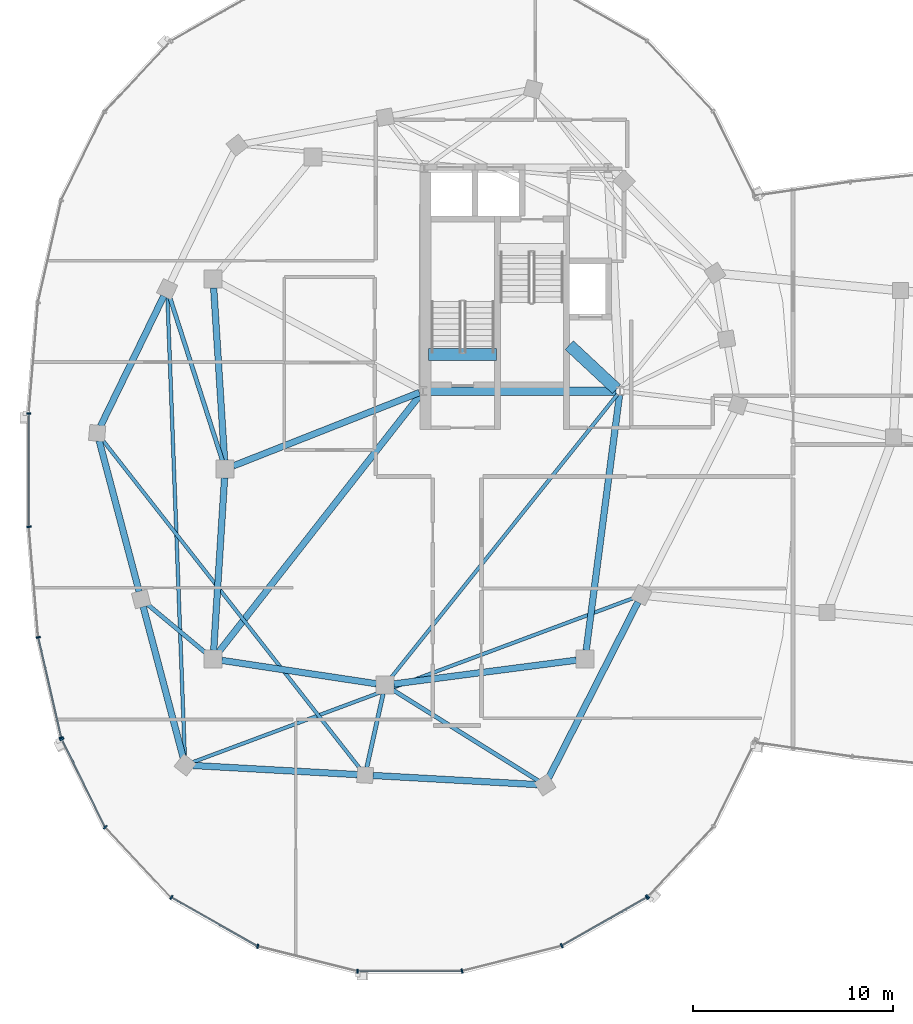
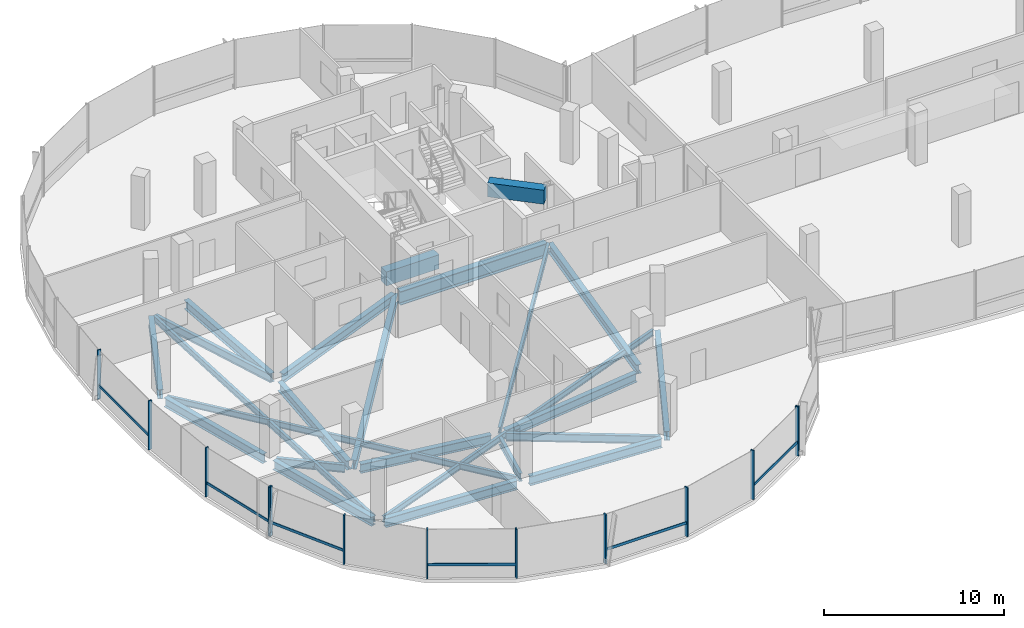
# One storey, part 3 of 26: 24 beams, 19 members, 3 elements without a shape of their own.
"""IFC4 building model written with IfcOpenShell, lengths in metres."""

import ifcopenshell
import ifcopenshell.guid

model = None  # the IFC model being written
_history = None  # IfcOwnerHistory: only IFC2X3 demands one
_inside = {}  # id of a spatial element -> (the spatial element, [elements in it])
_under = {}  # id of a project, library or spatial element -> (it, [spatial elements below it])
_declared = {}  # id of a project -> (the project, [libraries it declares])
_typed = {}  # id of a type object -> (the type object, [elements of that type])
_made_of = {}  # id of a material, layer set ... -> (it, [elements and type objects made of it])


def new_model(schema):
    """Start an empty IFC model of exactly this schema.

    Asked for "IFC4X3", IfcOpenShell would pick the latest addendum, in which some entities
    have other attributes; the version numbers below select the first issue.
    IFC2X3 requires an IfcOwnerHistory on every rooted entity: one is made here for all.
    """
    global model, _history
    if schema == "IFC4X3":
        model = ifcopenshell.file(schema_version=(4, 3, 0, 0))
    else:
        model = ifcopenshell.file(schema=schema)
    _inside.clear()
    _under.clear()
    _declared.clear()
    _typed.clear()
    _made_of.clear()
    _history = None
    if model.schema == "IFC2X3":
        org = make("IfcOrganization", Name="unknown")
        user = make(
            "IfcPersonAndOrganization",
            ThePerson=make("IfcPerson", FamilyName="unknown"),
            TheOrganization=org,
        )
        app = make(
            "IfcApplication",
            ApplicationDeveloper=org,
            Version="unknown",
            ApplicationFullName="unknown",
            ApplicationIdentifier="unknown",
        )
        _history = make(
            "IfcOwnerHistory",
            OwningUser=user,
            OwningApplication=app,
            ChangeAction="ADDED",
            CreationDate=0,
        )
    return model


def make(cls, **values):
    """One entity of the class cls with the attributes given. An attribute that is None is left unset."""
    return model.create_entity(
        cls, **{name: value for name, value in values.items() if value is not None}
    )


def rooted(cls, **values):
    """An entity with a GlobalId (a new one), such as an element, a storey or a relation."""
    return make(cls, GlobalId=ifcopenshell.guid.new(), OwnerHistory=_history, **values)


def si_unit(unit_type, name, prefix=None):
    """IfcSIUnit, for example si_unit("LENGTHUNIT", "METRE", prefix="MILLI")."""
    return make("IfcSIUnit", UnitType=unit_type, Prefix=prefix, Name=name)


def assignment(units):
    """IfcUnitAssignment: the units of a project."""
    return None if units is None else make("IfcUnitAssignment", Units=units)


def point(xyz):
    """IfcCartesianPoint."""
    return None if xyz is None else make("IfcCartesianPoint", Coordinates=xyz)


def direction(xyz):
    """IfcDirection."""
    return None if xyz is None else make("IfcDirection", DirectionRatios=xyz)


def frame(location, z_axis=None, x_axis=None):
    """IfcAxis2Placement3D, a coordinate frame: its origin and axes. An axis left out is left unset."""
    return make(
        "IfcAxis2Placement3D",
        Location=point(location),
        Axis=direction(z_axis),
        RefDirection=direction(x_axis),
    )


def frame_2d(location, x_axis=None):
    """IfcAxis2Placement2D, a coordinate frame in the plane: its origin and x axis."""
    return make(
        "IfcAxis2Placement2D", Location=point(location), RefDirection=direction(x_axis)
    )


def origin():
    """The frame at (0, 0, 0) with its axes left unset."""
    return frame((0.0, 0.0, 0.0))


def origin_2d():
    """The frame at (0, 0) in the plane with its x axis left unset."""
    return frame_2d((0.0, 0.0))


def place(relative_to, where):
    """IfcLocalPlacement: puts the frame where relative to a parent placement (None: the world)."""
    return make(
        "IfcLocalPlacement", PlacementRelTo=relative_to, RelativePlacement=where
    )


def context(
    kind, dimensions, precision=None, world=None, true_north=None, identifier=None
):
    """IfcGeometricRepresentationContext, for example the 3D "Model" context."""
    return make(
        "IfcGeometricRepresentationContext",
        ContextIdentifier=identifier,
        ContextType=kind,
        CoordinateSpaceDimension=dimensions,
        Precision=precision,
        WorldCoordinateSystem=world,
        TrueNorth=true_north,
    )


def subcontext(parent, identifier, kind, view, scale=None):
    """IfcGeometricRepresentationSubContext, for example "Body" below "Model"."""
    return make(
        "IfcGeometricRepresentationSubContext",
        ContextIdentifier=identifier,
        ContextType=kind,
        ParentContext=parent,
        TargetScale=scale,
        TargetView=view,
    )


def project(units=None, contexts=None):
    """IfcProject with its units and contexts."""
    return rooted(
        "IfcProject",
        Name="project",
        RepresentationContexts=contexts,
        UnitsInContext=assignment(units),
    )


def spatial(cls, under=None, at=None, **own):
    """A site, building, storey or space (cls), placed at a placement, below another one or the project."""
    s = rooted(cls, ObjectPlacement=at, **own)
    if under is not None:
        _under.setdefault(under.id(), (under, []))[1].append(s)
    return s


def profile(cls, at=None, kind="AREA", **sizes):
    """A parametric profile (cls). Its sizes go by their IFC names, for example OverallWidth=200.0."""
    return make(cls, ProfileType=kind, Position=at, **sizes)


def rectangle(**sizes):
    """IfcRectangleProfileDef."""
    return profile("IfcRectangleProfileDef", **sizes)


def i_section(**sizes):
    """IfcIShapeProfileDef."""
    return profile("IfcIShapeProfileDef", **sizes)


def extrude(swept, where, along, depth):
    """IfcExtrudedAreaSolid: the profile swept, set in the frame where, extruded along a direction by depth."""
    return make(
        "IfcExtrudedAreaSolid",
        SweptArea=swept,
        Position=where,
        ExtrudedDirection=direction(along),
        Depth=depth,
    )


def shape(context_of_items, identifier, shape_type, items):
    """IfcShapeRepresentation: the items that make up one representation, for example the "Body"."""
    return make(
        "IfcShapeRepresentation",
        ContextOfItems=context_of_items,
        RepresentationIdentifier=identifier,
        RepresentationType=shape_type,
        Items=items,
    )


def material(Name=None, Category=None):
    """IfcMaterial."""
    return make("IfcMaterial", Name=Name, Category=Category)


def material_profile(
    of_material, cross_section, Name=None, Category=None, Priority=None
):
    """IfcMaterialProfile: a cross section and its material."""
    return make(
        "IfcMaterialProfile",
        Name=Name,
        Material=of_material,
        Profile=cross_section,
        Priority=Priority,
        Category=Category,
    )


def profile_set(profiles, Name=None, composite=None):
    """IfcMaterialProfileSet."""
    return make(
        "IfcMaterialProfileSet",
        Name=Name,
        MaterialProfiles=profiles,
        CompositeProfile=composite,
    )


def made_of(thing, what):
    """Note that an element or type object is made of a material, layer set ...; save() writes the relation."""
    if what is not None:
        _made_of.setdefault(what.id(), (what, []))[1].append(thing)
    return thing


def type_object(cls, material=None, **own):
    """A type object (cls), such as IfcWallType, which elements share."""
    return made_of(rooted(cls, **own), material)


def element(
    cls,
    number,
    at=None,
    inside=None,
    cuts=None,
    type_object=None,
    material=None,
    context=None,
    identifier="Body",
    shape_type=None,
    held_by="IfcProductDefinitionShape",
    body=None,
    shapes=None,
    **own,
):
    """One element of the class cls, such as IfcWall. Its Tag is "e" and its number.

    at: its placement. inside: the storey or other place that contains it. cuts: it is an
    opening in that element (IfcRelVoidsElement). A single representation is given by context,
    identifier, shape_type and body (its items); several are given by shapes. held_by: the class
    of the entity that holds the representations. save() writes the other relations.
    """
    e = rooted(cls, Tag="e%d" % number, ObjectPlacement=at, **own)
    if body is not None:
        shapes = [shape(context, identifier, shape_type, body)]
    if shapes is not None:
        e.Representation = make(held_by, Representations=shapes)
    if inside is not None:
        _inside.setdefault(inside.id(), (inside, []))[1].append(e)
    if cuts is not None:
        rooted(
            "IfcRelVoidsElement", RelatingBuildingElement=cuts, RelatedOpeningElement=e
        )
    if type_object is not None:
        _typed.setdefault(type_object.id(), (type_object, []))[1].append(e)
    return made_of(e, material)


def aggregate(whole, parts):
    """IfcRelAggregates: a whole, such as a stair, and the parts it consists of."""
    return rooted("IfcRelAggregates", RelatingObject=whole, RelatedObjects=parts)


def save(model, path):
    """Write the relations noted so far, then the file.

    IfcRelAggregates (storeys below a building ...), IfcRelContainedInSpatialStructure (elements
    in a storey), IfcRelDefinesByType, IfcRelAssociatesMaterial and IfcRelDeclares: one each for
    every whole, place, type object, material and project.
    """
    for whole, parts in _under.values():
        aggregate(whole, parts)
    for where, things in _inside.values():
        rooted(
            "IfcRelContainedInSpatialStructure",
            RelatedElements=things,
            RelatingStructure=where,
        )
    for kind, things in _typed.values():
        rooted("IfcRelDefinesByType", RelatedObjects=things, RelatingType=kind)
    for what, things in _made_of.values():
        rooted("IfcRelAssociatesMaterial", RelatedObjects=things, RelatingMaterial=what)
    for by, libraries in _declared.values():
        rooted("IfcRelDeclares", RelatingContext=by, RelatedDefinitions=libraries)
    model.write(path)


model = new_model("IFC4")

# Units and contexts
model_context = context("Model", 3, precision=1e-05, world=origin(), true_north=direction((0.0, 1.0)))
body_context = subcontext(model_context, "Body", "Model", "MODEL_VIEW")
ifc_project = project(units=[si_unit("LENGTHUNIT", "METRE"), si_unit("AREAUNIT", "SQUARE_METRE"), si_unit("VOLUMEUNIT", "CUBIC_METRE"), si_unit("PLANEANGLEUNIT", "RADIAN"), si_unit("MASSUNIT", "GRAM", prefix="KILO"), si_unit("THERMODYNAMICTEMPERATUREUNIT", "KELVIN"), si_unit("POWERUNIT", "WATT")], contexts=[model_context])

# Site, building, storey
site_placement = place(None, origin())
site = spatial("IfcSite", under=ifc_project, at=site_placement, CompositionType="ELEMENT")
building_placement = place(site_placement, origin())
building = spatial("IfcBuilding", under=site, at=building_placement, Name="Cundina Bronze Exchange", CompositionType="ELEMENT")
storey_placement = place(building_placement, frame((0.0, 0.0, 243.199951171875)))
storey = spatial("IfcBuildingStorey", under=building, at=storey_placement, Name="L64", CompositionType="ELEMENT", Elevation=243.199951171875)

# Beams
ifc_material_1 = material(Name="Concrete C60/75", Category="concrete")
ifc_material_profile_1 = material_profile(ifc_material_1, rectangle(XDim=0.60009765625, YDim=0.949951171875, at=origin_2d()), Name="RC600X950", Category="concrete")
ifc_profile_set_1 = profile_set([ifc_material_profile_1], Name="Concrete C60/75")
beam_type_1 = type_object("IfcBeamType", Name="BM-COUP-RC950", PredefinedType="LINTEL", material=ifc_profile_set_1)
beam_1_placement = place(storey_placement, frame((-31.02001953125, 5.719970703125, -0.474853515625), z_axis=(1.0, 0.0, 0.0), x_axis=(0.0, 1.0, 0.0)))
element("IfcBeam", 1, at=beam_1_placement, inside=storey, type_object=beam_type_1, Name="L64 Stair W1 Landing Header Beam", PredefinedType="LINTEL", context=body_context, shape_type="SweptSolid", body=[
    extrude(rectangle(XDim=0.60009765625, YDim=0.949951171875, at=origin_2d()), origin(), (0.0, 0.0, 1.0), 3.39990234375),
])
beam_2_placement = place(storey_placement, frame((-23.989990234375, 6.199951171875, 2.864990234375), z_axis=(0.731490439815, -0.681851696822, 0.0), x_axis=(0.681851696822, 0.731490439815, 0.0)))
element("IfcBeam", 2, at=beam_2_placement, inside=storey, type_object=beam_type_1, Name="L64 W Core Shear Coupling Lintel Beam", PredefinedType="LINTEL", context=body_context, shape_type="SweptSolid", body=[
    extrude(rectangle(XDim=0.60009765625, YDim=0.949951171875, at=origin_2d()), origin(), (0.0, 0.0, 1.0), 3.226318359375),
])
ifc_material_2 = material(Name="Steel ASTM A992 Grade 50", Category="steel")
ifc_material_profile_2 = material_profile(ifc_material_2, i_section(OverallWidth=0.2119140625, OverallDepth=0.5439453125, WebThickness=0.01318359375, FlangeThickness=0.021240234375, FilletRadius=0.013916015625, at=origin_2d()), Name="W21X83", Category="steel")
ifc_profile_set_2 = profile_set([ifc_material_profile_2], Name="Steel ASTM A992 Grade 50")
beam_type_2 = type_object("IfcBeamType", Name="BM-FLR-W21A", PredefinedType="BEAM", material=ifc_profile_set_2)
beam_3_placement = place(storey_placement, frame((-41.334228515625, 0.4169921875, -0.531982421875), z_axis=(-0.306706012964, 0.951804297958, 0.0), x_axis=(-0.951804297958, -0.306706012964, 0.0)))
element("IfcBeam", 3, at=beam_3_placement, inside=storey, type_object=beam_type_2, Name="L64 Leg W Radial Floor Beam 07", PredefinedType="BEAM", context=body_context, shape_type="SweptSolid", body=[
    extrude(i_section(OverallWidth=0.2119140625, OverallDepth=0.5439453125, WebThickness=0.01318359375, FlangeThickness=0.021240234375, FilletRadius=0.013916015625, at=origin_2d()), origin(), (0.0, 0.0, 1.0), 8.629638671875),
])
beam_4_placement = place(storey_placement, frame((-42.136474609375, -9.219482421875, -0.531982421875), z_axis=(-0.768210910963, 0.640196841821, 0.0), x_axis=(-0.640196841821, -0.768210910963, 0.0)))
element("IfcBeam", 4, at=beam_4_placement, inside=storey, type_object=beam_type_2, Name="L64 Leg W Radial Floor Beam 09", PredefinedType="BEAM", context=body_context, shape_type="SweptSolid", body=[
    extrude(i_section(OverallWidth=0.2119140625, OverallDepth=0.5439453125, WebThickness=0.01318359375, FlangeThickness=0.021240234375, FilletRadius=0.013916015625, at=origin_2d()), origin(), (0.0, 0.0, 1.0), 3.860107421875),
])
beam_5_placement = place(storey_placement, frame((-33.294921875, -11.2275390625, -0.531982421875), z_axis=(-0.216930457819, -0.976187060184, 0.0), x_axis=(0.976187060184, -0.216930457819, 0.0)))
element("IfcBeam", 5, at=beam_5_placement, inside=storey, type_object=beam_type_2, Name="L64 Leg W Radial Floor Beam 11", PredefinedType="BEAM", context=body_context, shape_type="SweptSolid", body=[
    extrude(i_section(OverallWidth=0.2119140625, OverallDepth=0.5439453125, WebThickness=0.01318359375, FlangeThickness=0.021240234375, FilletRadius=0.013916015625, at=origin_2d()), origin(), (0.0, 0.0, 1.0), 3.78369140625),
])
beam_6_placement = place(storey_placement, frame((-32.82861328125, -11.031982421875, -0.531982421875), z_axis=(0.847983963552, -0.530021884038, 0.0), x_axis=(0.530021884038, 0.847983963552, 0.0)))
element("IfcBeam", 6, at=beam_6_placement, inside=storey, type_object=beam_type_2, Name="L64 Leg W Radial Floor Beam 12", PredefinedType="BEAM", context=body_context, shape_type="SweptSolid", body=[
    extrude(i_section(OverallWidth=0.2119140625, OverallDepth=0.5439453125, WebThickness=0.01318359375, FlangeThickness=0.021240234375, FilletRadius=0.013916015625, at=origin_2d()), origin(), (0.0, 0.0, 1.0), 8.608154296875),
])
ifc_material_profile_3 = material_profile(ifc_material_2, i_section(OverallWidth=0.178955078125, OverallDepth=0.409912109375, WebThickness=0.0087890625, FlangeThickness=0.014404296875, FilletRadius=0.010986328125, at=origin_2d()), Name="W16X45", Category="steel")
ifc_profile_set_3 = profile_set([ifc_material_profile_3], Name="Steel ASTM A992 Grade 50")
beam_type_3 = type_object("IfcBeamType", Name="BM-JST-W16", PredefinedType="JOIST", material=ifc_profile_set_3)
beam_7_placement = place(storey_placement, frame((-21.572509765625, 3.746826171875, -0.46484375), z_axis=(-0.624364266872, -0.781133319129, 0.0), x_axis=(0.781133319129, -0.624364266872, 0.0)))
element("IfcBeam", 7, at=beam_7_placement, inside=storey, type_object=beam_type_3, Name="L64 W Interior Core-to-Ring Joist 2", PredefinedType="JOIST", context=body_context, shape_type="SweptSolid", body=[
    extrude(i_section(OverallWidth=0.178955078125, OverallDepth=0.409912109375, WebThickness=0.0087890625, FlangeThickness=0.014404296875, FilletRadius=0.010986328125, at=origin_2d()), origin(), (0.0, 0.0, 1.0), 18.184814453125),
])
beam_8_placement = place(storey_placement, frame((-44.085205078125, 8.6123046875, -0.46484375), z_axis=(0.037784872152, -0.999285896746, 0.0), x_axis=(0.999285896746, 0.037784872152, 0.0)))
element("IfcBeam", 8, at=beam_8_placement, inside=storey, type_object=beam_type_3, Name="L64 Leg W Lobe Floor Joist 07-10", PredefinedType="JOIST", context=body_context, shape_type="SweptSolid", body=[
    extrude(i_section(OverallWidth=0.178955078125, OverallDepth=0.409912109375, WebThickness=0.0087890625, FlangeThickness=0.014404296875, FilletRadius=0.010986328125, at=origin_2d()), origin(), (0.0, 0.0, 1.0), 23.041015625),
])
beam_9_placement = place(storey_placement, frame((-47.360595703125, 1.49462890625, -0.46484375), z_axis=(0.616804005008, -0.78711677622, 0.0), x_axis=(0.78711677622, 0.616804005008, 0.0)))
element("IfcBeam", 9, at=beam_9_placement, inside=storey, type_object=beam_type_3, Name="L64 Leg W Lobe Floor Joist 08-11", PredefinedType="JOIST", context=body_context, shape_type="SweptSolid", body=[
    extrude(i_section(OverallWidth=0.178955078125, OverallDepth=0.409912109375, WebThickness=0.0087890625, FlangeThickness=0.014404296875, FilletRadius=0.010986328125, at=origin_2d()), origin(), (0.0, 0.0, 1.0), 20.948974609375),
])
beam_10_placement = place(storey_placement, frame((-42.83642578125, -14.66455078125, -0.46484375), z_axis=(0.937127932085, 0.348986015344, 0.0), x_axis=(-0.348986015344, 0.937127932085, 0.0)))
element("IfcBeam", 10, at=beam_10_placement, inside=storey, type_object=beam_type_3, Name="L64 Leg W Lobe Floor Joist 10-13", PredefinedType="JOIST", context=body_context, shape_type="SweptSolid", body=[
    extrude(i_section(OverallWidth=0.178955078125, OverallDepth=0.409912109375, WebThickness=0.0087890625, FlangeThickness=0.014404296875, FilletRadius=0.010986328125, at=origin_2d()), origin(), (0.0, 0.0, 1.0), 23.58056640625),
])
ifc_material_profile_4 = material_profile(ifc_material_2, i_section(OverallWidth=0.324951171875, OverallDepth=0.615966796875, WebThickness=0.013916015625, FlangeThickness=0.021484375, FilletRadius=0.01611328125, at=origin_2d()), Name="W24X117", Category="steel")
ifc_profile_set_4 = profile_set([ifc_material_profile_4], Name="Steel ASTM A992 Grade 50")
beam_type_4 = type_object("IfcBeamType", Name="BM-RING-W24", PredefinedType="USERDEFINED", material=ifc_profile_set_4)
for number, where, z_axis, x_axis, name in (
    (11, (-41.7724609375, 9.06298828125, -0.56787109375), (0.063046519736, -0.998010589297, 0.0), (0.998010589297, 0.063046519736, 0.0), "L64 W Inner Structural Ring Girder 03"),
    (12, (-41.2275390625, -0.43701171875, -0.56787109375), (-0.063046519736, -0.998010589297, 0.0), (0.998010589297, -0.063046519736, 0.0), "L64 W Inner Structural Ring Girder 04"),
):
    element("IfcBeam", number, at=place(storey_placement, frame(where, z_axis=z_axis, x_axis=x_axis)), inside=storey, type_object=beam_type_4, Name=name, ObjectType="GIRDER", PredefinedType="USERDEFINED", context=body_context, shape_type="SweptSolid", body=[
        extrude(i_section(OverallWidth=0.324951171875, OverallDepth=0.615966796875, WebThickness=0.013916015625, FlangeThickness=0.021484375, FilletRadius=0.01611328125, at=origin_2d()), origin(), (0.0, 0.0, 1.0), 8.64306640625),
    ])
beam_11_placement = place(storey_placement, frame((-41.366943359375, -9.5654296875, -0.56787109375), z_axis=(0.988764903598, -0.149478979839, 0.0), x_axis=(0.149478979839, 0.988764903598, 0.0)))
element("IfcBeam", 13, at=beam_11_placement, inside=storey, type_object=beam_type_4, Name="L64 W Inner Structural Ring Girder 05", ObjectType="GIRDER", PredefinedType="USERDEFINED", context=body_context, shape_type="SweptSolid", body=[
    extrude(i_section(OverallWidth=0.324951171875, OverallDepth=0.615966796875, WebThickness=0.013916015625, FlangeThickness=0.021484375, FilletRadius=0.01611328125, at=origin_2d()), origin(), (0.0, 0.0, 1.0), 7.82177734375),
])
beam_12_placement = place(storey_placement, frame((-32.765625, -10.743408203125, -0.56787109375), z_axis=(0.991656498582, 0.128908451316, 0.0), x_axis=(-0.128908451316, 0.991656498582, 0.0)))
element("IfcBeam", 14, at=beam_12_placement, inside=storey, type_object=beam_type_4, Name="L64 W Inner Structural Ring Girder 06", ObjectType="GIRDER", PredefinedType="USERDEFINED", context=body_context, shape_type="SweptSolid", body=[
    extrude(i_section(OverallWidth=0.324951171875, OverallDepth=0.615966796875, WebThickness=0.013916015625, FlangeThickness=0.021484375, FilletRadius=0.01611328125, at=origin_2d()), origin(), (0.0, 0.0, 1.0), 9.208251953125),
])
beam_13_placement = place(storey_placement, frame((-23.143310546875, -9.065673828125, -0.56787109375), z_axis=(0.129501251979, 0.991579258424, 0.0), x_axis=(-0.991579258424, 0.129501251979, 0.0)))
element("IfcBeam", 15, at=beam_13_placement, inside=storey, type_object=beam_type_4, Name="L64 W Inner Structural Ring Girder 07", ObjectType="GIRDER", PredefinedType="USERDEFINED", context=body_context, shape_type="SweptSolid", body=[
    extrude(i_section(OverallWidth=0.324951171875, OverallDepth=0.615966796875, WebThickness=0.013916015625, FlangeThickness=0.021484375, FilletRadius=0.01611328125, at=origin_2d()), origin(), (0.0, 0.0, 1.0), 12.8798828125),
])
beam_14_placement = place(storey_placement, frame((-31.482421875, 3.828125, -0.56787109375), z_axis=(-0.930404106569, -0.366535398673, 0.0), x_axis=(0.366535398673, -0.930404106569, 0.0)))
element("IfcBeam", 16, at=beam_14_placement, inside=storey, type_object=beam_type_4, Name="L64 W Core-to-Waist Tie Beam 1", ObjectType="GIRDER", PredefinedType="USERDEFINED", context=body_context, shape_type="SweptSolid", body=[
    extrude(i_section(OverallWidth=0.324951171875, OverallDepth=0.615966796875, WebThickness=0.013916015625, FlangeThickness=0.021484375, FilletRadius=0.01611328125, at=origin_2d()), origin(), (0.0, 0.0, 1.0), 10.00634765625),
])
beam_15_placement = place(storey_placement, frame((-31.4208984375, 3.74560546875, -0.56787109375), z_axis=(-0.616782900053, -0.787133314123, 0.0), x_axis=(0.787133314123, -0.616782900053, 0.0)))
element("IfcBeam", 17, at=beam_15_placement, inside=storey, type_object=beam_type_4, Name="L64 W Core-to-Waist Tie Beam 3", ObjectType="GIRDER", PredefinedType="USERDEFINED", context=body_context, shape_type="SweptSolid", body=[
    extrude(i_section(OverallWidth=0.324951171875, OverallDepth=0.615966796875, WebThickness=0.013916015625, FlangeThickness=0.021484375, FilletRadius=0.01611328125, at=origin_2d()), origin(), (0.0, 0.0, 1.0), 16.3896484375),
])
beam_16_placement = place(storey_placement, frame((-44.26953125, 8.65087890625, -0.56787109375), z_axis=(-0.437216986791, -0.899356050995, 0.0), x_axis=(0.899356050995, -0.437216986791, 0.0)))
element("IfcBeam", 18, at=beam_16_placement, inside=storey, type_object=beam_type_4, Name="L64 W Perimeter Ring Girder 07", ObjectType="GIRDER", PredefinedType="USERDEFINED", context=body_context, shape_type="SweptSolid", body=[
    extrude(i_section(OverallWidth=0.324951171875, OverallDepth=0.615966796875, WebThickness=0.013916015625, FlangeThickness=0.021484375, FilletRadius=0.01611328125, at=origin_2d()), origin(), (0.0, 0.0, 1.0), 7.2294921875),
])
for number, where, z_axis, x_axis, name in (
    (19, (-47.50048828125, 1.425048828125, -0.56787109375), (0.256183793797, -0.966628089699, 0.0), (0.966628089699, 0.256183793797, 0.0), "L64 W Perimeter Ring Girder 08"),
    (20, (-45.300537109375, -6.875, -0.56787109375), (0.256212999207, -0.966620348967, 0.0), (0.966620348967, 0.256212999207, 0.0), "L64 W Perimeter Ring Girder 09"),
):
    element("IfcBeam", number, at=place(storey_placement, frame(where, z_axis=z_axis, x_axis=x_axis)), inside=storey, type_object=beam_type_4, Name=name, ObjectType="GIRDER", PredefinedType="USERDEFINED", context=body_context, shape_type="SweptSolid", body=[
        extrude(i_section(OverallWidth=0.324951171875, OverallDepth=0.615966796875, WebThickness=0.013916015625, FlangeThickness=0.021484375, FilletRadius=0.01611328125, at=origin_2d()), origin(), (0.0, 0.0, 1.0), 7.810791015625),
    ])
for number, where, z_axis, x_axis, name in (
    (21, (-42.8125, -14.821533203125, -0.56787109375), (0.998459806018, -0.055479868117, 0.0), (0.055479868117, 0.998459806018, 0.0), "L64 W Perimeter Ring Girder 10"),
    (22, (-33.8125, -15.321533203125, -0.56787109375), (0.998459806018, -0.055479868117, 0.0), (0.055479868117, 0.998459806018, 0.0), "L64 W Perimeter Ring Girder 11"),
):
    element("IfcBeam", number, at=place(storey_placement, frame(where, z_axis=z_axis, x_axis=x_axis)), inside=storey, type_object=beam_type_4, Name=name, ObjectType="GIRDER", PredefinedType="USERDEFINED", context=body_context, shape_type="SweptSolid", body=[
        extrude(i_section(OverallWidth=0.324951171875, OverallDepth=0.615966796875, WebThickness=0.013916015625, FlangeThickness=0.021484375, FilletRadius=0.01611328125, at=origin_2d()), origin(), (0.0, 0.0, 1.0), 8.23779296875),
    ])
beam_17_placement = place(storey_placement, frame((-25.0244140625, -15.4541015625, -0.56787109375), z_axis=(0.452839263805, 0.891592171991, 0.0), x_axis=(-0.891592171991, 0.452839263805, 0.0)))
element("IfcBeam", 23, at=beam_17_placement, inside=storey, type_object=beam_type_4, Name="L64 W Perimeter Ring Girder 12", ObjectType="GIRDER", PredefinedType="USERDEFINED", context=body_context, shape_type="SweptSolid", body=[
    extrude(i_section(OverallWidth=0.324951171875, OverallDepth=0.615966796875, WebThickness=0.013916015625, FlangeThickness=0.021484375, FilletRadius=0.01611328125, at=origin_2d()), origin(), (0.0, 0.0, 1.0), 9.879150390625),
])
ifc_material_profile_5 = material_profile(ifc_material_2, i_section(OverallWidth=0.41796875, OverallDepth=0.927001953125, WebThickness=0.019287109375, FlangeThickness=0.031982421875, FilletRadius=0.02392578125, at=origin_2d()), Name="W36X231", Category="steel")
ifc_profile_set_5 = profile_set([ifc_material_profile_5], Name="Steel ASTM A992 Grade 50")
beam_type_5 = type_object("IfcBeamType", Name="BM-WRN-W36B", PredefinedType="USERDEFINED", material=ifc_profile_set_5)
beam_18_placement = place(storey_placement, frame((-31.10400390625, 3.89990234375, -0.723388671875), z_axis=(1.0, 0.0, 0.0), x_axis=(0.0, 1.0, 0.0)))
element("IfcBeam", 24, at=beam_18_placement, inside=storey, type_object=beam_type_5, Name="L64 W Core Perimeter Tie Girder 1", ObjectType="GIRDER", PredefinedType="USERDEFINED", context=body_context, shape_type="SweptSolid", body=[
    extrude(i_section(OverallWidth=0.41796875, OverallDepth=0.927001953125, WebThickness=0.019287109375, FlangeThickness=0.031982421875, FilletRadius=0.02392578125, at=origin_2d()), origin(), (0.0, 0.0, 1.0), 9.4580078125),
])

# Curtain wall, members
ifc_material_3 = material(Name="Anodised Bronze Aluminium 6063-T6", Category="aluminium")
curtain_wall_type = type_object("IfcCurtainWallType", Name="CWS-SKG-BRG", PredefinedType="NOTDEFINED", material=ifc_material_3)
curtain_wall_1_placement = place(storey_placement, origin())
curtain_wall_1 = element("IfcCurtainWall", 25, at=curtain_wall_1_placement, inside=storey, type_object=curtain_wall_type, Name="L64 CW-06 Curtain Wall Run CWR-L64-W2", PredefinedType="NOTDEFINED")
ifc_material_profile_6 = material_profile(ifc_material_3, rectangle(XDim=0.074951171875, YDim=0.219970703125, at=origin_2d()), Name="AL75X220", Category="aluminium")
ifc_profile_set_6 = profile_set([ifc_material_profile_6], Name="Anodised Bronze Aluminium 6063-T6")
member_type_1 = type_object("IfcMemberType", Name="CWM-MUL-220", PredefinedType="MULLION", material=ifc_profile_set_6)
member_1_placement = place(storey_placement, frame((-51.01904296875, 2.79150390625, 0.0), z_axis=(0.0, 0.0, 1.0), x_axis=(0.0, -1.0, 0.0)))
member_1 = element("IfcMember", 26, at=member_1_placement, type_object=member_type_1, Name="CW-06 Mullion 5", PredefinedType="MULLION", context=body_context, shape_type="SweptSolid", body=[
    extrude(rectangle(XDim=0.074951171875, YDim=0.219970703125, at=origin_2d()), origin(), (0.0, 0.0, 1.0), 3.340087890625),
])
member_2_placement = place(storey_placement, frame((-51.01513671875, -2.885498046875, 0.0), z_axis=(0.0, 0.0, 1.0), x_axis=(0.083677843332, -0.99649285925, 0.0)))
member_2 = element("IfcMember", 27, at=member_2_placement, type_object=member_type_1, Name="CW-06 Mullion 6", PredefinedType="MULLION", context=body_context, shape_type="SweptSolid", body=[
    extrude(rectangle(XDim=0.074951171875, YDim=0.219970703125, at=origin_2d()), origin(), (0.0, 0.0, 1.0), 3.340087890625),
])
member_3_placement = place(storey_placement, frame((-50.544677734375, -8.4111328125, 0.0), z_axis=(0.0, 0.0, 1.0), x_axis=(0.223250116011, -0.974761194191, 0.0)))
member_3 = element("IfcMember", 28, at=member_3_placement, type_object=member_type_1, Name="CW-06 Mullion 7", PredefinedType="MULLION", context=body_context, shape_type="SweptSolid", body=[
    extrude(rectangle(XDim=0.074951171875, YDim=0.219970703125, at=origin_2d()), origin(), (0.0, 0.0, 1.0), 3.340087890625),
])
member_4_placement = place(storey_placement, frame((-49.39404296875, -13.433837890625, 0.0), z_axis=(0.0, 0.0, 1.0), x_axis=(0.223250116011, -0.974761194191, 0.0)))
member_4 = element("IfcMember", 29, at=member_4_placement, type_object=member_type_1, Name="CW-06 End Mullion", PredefinedType="MULLION", context=body_context, shape_type="SweptSolid", body=[
    extrude(rectangle(XDim=0.074951171875, YDim=0.219970703125, at=origin_2d()), origin(), (0.0, 0.0, 1.0), 3.340087890625),
])

curtain_wall_2_placement = place(storey_placement, origin())
curtain_wall_2 = element("IfcCurtainWall", 30, at=curtain_wall_2_placement, inside=storey, type_object=curtain_wall_type, Name="L64 CW-06 Curtain Wall Run CWR-L64-W3", PredefinedType="NOTDEFINED")
member_5_placement = place(storey_placement, frame((-49.369140625, -13.50390625, 0.0), z_axis=(0.0, 0.0, 1.0), x_axis=(0.440566004113, -0.897720221461, 0.0)))
member_5 = element("IfcMember", 31, at=member_5_placement, type_object=member_type_1, Name="CW-06 Mullion 1", PredefinedType="MULLION", context=body_context, shape_type="SweptSolid", body=[
    extrude(rectangle(XDim=0.074951171875, YDim=0.219970703125, at=origin_2d()), origin(), (0.0, 0.0, 1.0), 3.340087890625),
])
member_6_placement = place(storey_placement, frame((-47.1962890625, -17.910400390625, 0.0), z_axis=(0.0, 0.0, 1.0), x_axis=(0.684292606175, -0.729207535023, 0.0)))
member_6 = element("IfcMember", 32, at=member_6_placement, type_object=member_type_1, Name="CW-06 Mullion 2", PredefinedType="MULLION", context=body_context, shape_type="SweptSolid", body=[
    extrude(rectangle(XDim=0.074951171875, YDim=0.219970703125, at=origin_2d()), origin(), (0.0, 0.0, 1.0), 3.340087890625),
])
member_7_placement = place(storey_placement, frame((-43.88916015625, -21.419921875, 0.0), z_axis=(0.0, 0.0, 1.0), x_axis=(0.86958112538, -0.493790103568, 0.0)))
member_7 = element("IfcMember", 33, at=member_7_placement, type_object=member_type_1, Name="CW-06 Mullion 3", PredefinedType="MULLION", context=body_context, shape_type="SweptSolid", body=[
    extrude(rectangle(XDim=0.074951171875, YDim=0.219970703125, at=origin_2d()), origin(), (0.0, 0.0, 1.0), 3.340087890625),
])
member_8_placement = place(storey_placement, frame((-39.5703125, -23.86181640625, 0.0), z_axis=(0.0, 0.0, 1.0), x_axis=(0.969744325821, -0.244122802168, 0.0)))
member_8 = element("IfcMember", 34, at=member_8_placement, type_object=member_type_1, Name="CW-06 Mullion 4", PredefinedType="MULLION", context=body_context, shape_type="SweptSolid", body=[
    extrude(rectangle(XDim=0.074951171875, YDim=0.219970703125, at=origin_2d()), origin(), (0.0, 0.0, 1.0), 3.340087890625),
])
member_9_placement = place(storey_placement, frame((-34.576416015625, -25.110107421875, 0.0), z_axis=(0.0, 0.0, 1.0), x_axis=(1.0, 0.0, 0.0)))
member_9 = element("IfcMember", 35, at=member_9_placement, type_object=member_type_1, Name="CW-06 Mullion 5", PredefinedType="MULLION", context=body_context, shape_type="SweptSolid", body=[
    extrude(rectangle(XDim=0.074951171875, YDim=0.219970703125, at=origin_2d()), origin(), (0.0, 0.0, 1.0), 3.340087890625),
])
member_10_placement = place(storey_placement, frame((-29.351806640625, -25.10107421875, 0.0), z_axis=(0.0, 0.0, 1.0), x_axis=(0.969744325821, 0.244122802168, 0.0)))
member_10 = element("IfcMember", 36, at=member_10_placement, type_object=member_type_1, Name="CW-06 Mullion 6", PredefinedType="MULLION", context=body_context, shape_type="SweptSolid", body=[
    extrude(rectangle(XDim=0.074951171875, YDim=0.219970703125, at=origin_2d()), origin(), (0.0, 0.0, 1.0), 3.340087890625),
])
member_11_placement = place(storey_placement, frame((-24.365478515625, -23.8359375, 0.0), z_axis=(0.0, 0.0, 1.0), x_axis=(0.86958112538, 0.493790103568, 0.0)))
member_11 = element("IfcMember", 37, at=member_11_placement, type_object=member_type_1, Name="CW-06 Mullion 7", PredefinedType="MULLION", context=body_context, shape_type="SweptSolid", body=[
    extrude(rectangle(XDim=0.074951171875, YDim=0.219970703125, at=origin_2d()), origin(), (0.0, 0.0, 1.0), 3.340087890625),
])
member_12_placement = place(storey_placement, frame((-20.11083984375, -21.419921875, 0.0), z_axis=(0.0, 0.0, 1.0), x_axis=(0.86958112538, 0.493790103568, 0.0)))
member_12 = element("IfcMember", 38, at=member_12_placement, type_object=member_type_1, Name="CW-06 End Mullion", PredefinedType="MULLION", context=body_context, shape_type="SweptSolid", body=[
    extrude(rectangle(XDim=0.074951171875, YDim=0.219970703125, at=origin_2d()), origin(), (0.0, 0.0, 1.0), 3.340087890625),
])

# Curtain wall, member
curtain_wall_3_placement = place(storey_placement, origin())
curtain_wall_3 = element("IfcCurtainWall", 39, at=curtain_wall_3_placement, inside=storey, type_object=curtain_wall_type, Name="L64 CW-06 Curtain Wall Run CWR-L64-W4", PredefinedType="NOTDEFINED")
member_13_placement = place(storey_placement, frame((-20.059814453125, -21.3798828125, 0.0), z_axis=(0.0, 0.0, 1.0), x_axis=(0.684292606175, 0.729207535023, 0.0)))
member_13 = element("IfcMember", 40, at=member_13_placement, type_object=member_type_1, Name="CW-06 Mullion 1", PredefinedType="MULLION", context=body_context, shape_type="SweptSolid", body=[
    extrude(rectangle(XDim=0.074951171875, YDim=0.219970703125, at=origin_2d()), origin(), (0.0, 0.0, 1.0), 3.340087890625),
])
aggregate(curtain_wall_3, [member_13])

# Member
ifc_material_profile_7 = material_profile(ifc_material_3, rectangle(XDim=0.070068359375, YDim=0.179931640625, at=origin_2d()), Name="AL70X180", Category="aluminium")
ifc_profile_set_7 = profile_set([ifc_material_profile_7], Name="Anodised Bronze Aluminium 6063-T6")
member_type_2 = type_object("IfcMemberType", Name="CWM-TRN-180", PredefinedType="USERDEFINED", material=ifc_profile_set_7)
member_14_placement = place(storey_placement, frame((-51.01904296875, 2.750244140625, 0.920166015625), z_axis=(0.0, -1.0, 0.0), x_axis=(1.0, 0.0, 0.0)))
member_14 = element("IfcMember", 41, at=member_14_placement, type_object=member_type_2, Name="CW-06 Spandrel Transom 5", ObjectType="TRANSOM", PredefinedType="USERDEFINED", context=body_context, shape_type="SweptSolid", body=[
    extrude(rectangle(XDim=0.070068359375, YDim=0.179931640625, at=origin_2d()), origin(), (0.0, 0.0, 1.0), 5.5830078125),
])

member_15_placement = place(storey_placement, frame((-50.535400390625, -8.451416015625, 0.920166015625), z_axis=(0.223283702293, -0.974753501297, 0.0), x_axis=(0.974753501297, 0.223283702293, 0.0)))
member_15 = element("IfcMember", 42, at=member_15_placement, type_object=member_type_2, Name="CW-06 Spandrel Transom 7", ObjectType="TRANSOM", PredefinedType="USERDEFINED", context=body_context, shape_type="SweptSolid", body=[
    extrude(rectangle(XDim=0.070068359375, YDim=0.179931640625, at=origin_2d()), origin(), (0.0, 0.0, 1.0), 5.070068359375),
])

aggregate(curtain_wall_1, [member_1, member_14, member_2, member_3, member_4, member_15])

member_16_placement = place(storey_placement, frame((-49.35107421875, -13.541015625, 0.920166015625), z_axis=(0.440554408939, -0.897725911826, 0.0), x_axis=(0.897725911826, 0.440554408939, 0.0)))
member_16 = element("IfcMember", 43, at=member_16_placement, type_object=member_type_2, Name="CW-06 Spandrel Transom 1", ObjectType="TRANSOM", PredefinedType="USERDEFINED", context=body_context, shape_type="SweptSolid", body=[
    extrude(rectangle(XDim=0.070068359375, YDim=0.179931640625, at=origin_2d()), origin(), (0.0, 0.0, 1.0), 4.848388671875),
])

member_17_placement = place(storey_placement, frame((-43.853271484375, -21.440185546875, 0.920166015625), z_axis=(0.869557366176, -0.493831941989, 0.0), x_axis=(0.493831941989, 0.869557366176, 0.0)))
member_17 = element("IfcMember", 44, at=member_17_placement, type_object=member_type_2, Name="CW-06 Spandrel Transom 3", ObjectType="TRANSOM", PredefinedType="USERDEFINED", context=body_context, shape_type="SweptSolid", body=[
    extrude(rectangle(XDim=0.070068359375, YDim=0.179931640625, at=origin_2d()), origin(), (0.0, 0.0, 1.0), 4.892822265625),
])

member_18_placement = place(storey_placement, frame((-34.53515625, -25.110107421875, 0.920166015625), z_axis=(1.0, 0.0, 0.0), x_axis=(0.0, 1.0, 0.0)))
member_18 = element("IfcMember", 45, at=member_18_placement, type_object=member_type_2, Name="CW-06 Spandrel Transom 5", ObjectType="TRANSOM", PredefinedType="USERDEFINED", context=body_context, shape_type="SweptSolid", body=[
    extrude(rectangle(XDim=0.070068359375, YDim=0.179931640625, at=origin_2d()), origin(), (0.0, 0.0, 1.0), 5.153076171875),
])

member_19_placement = place(storey_placement, frame((-24.32958984375, -23.815673828125, 0.920166015625), z_axis=(0.869558105282, 0.493830640542, 0.0), x_axis=(-0.493830640542, 0.869558105282, 0.0)))
member_19 = element("IfcMember", 46, at=member_19_placement, type_object=member_type_2, Name="CW-06 Spandrel Transom 7", ObjectType="TRANSOM", PredefinedType="USERDEFINED", context=body_context, shape_type="SweptSolid", body=[
    extrude(rectangle(XDim=0.070068359375, YDim=0.179931640625, at=origin_2d()), origin(), (0.0, 0.0, 1.0), 4.810302734375),
])

aggregate(curtain_wall_2, [member_5, member_16, member_6, member_7, member_17, member_8, member_9, member_18, member_10, member_11, member_12, member_19])

save(model, "model.ifc")
